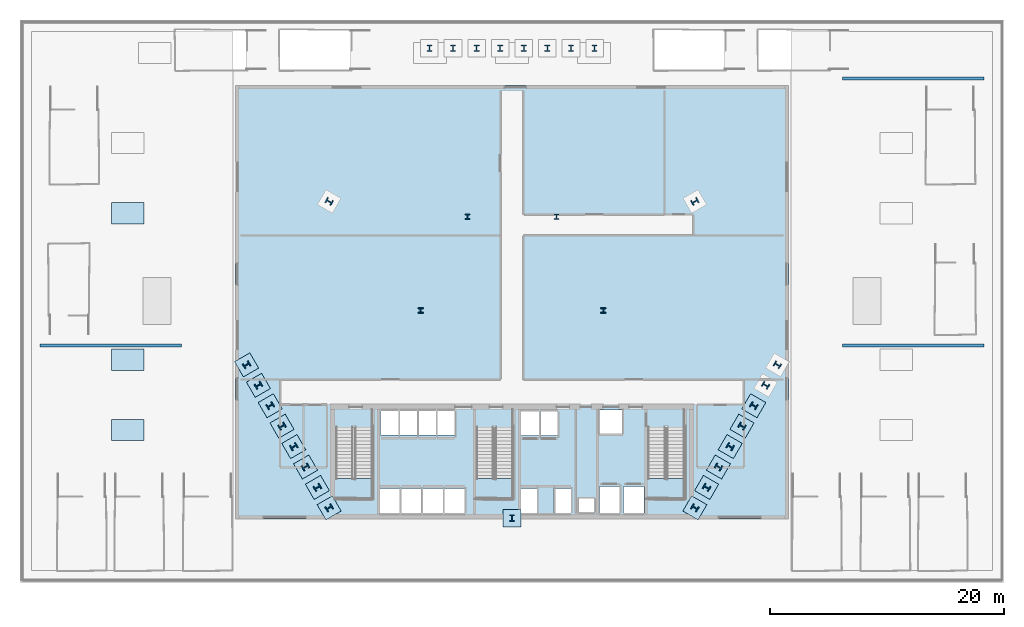
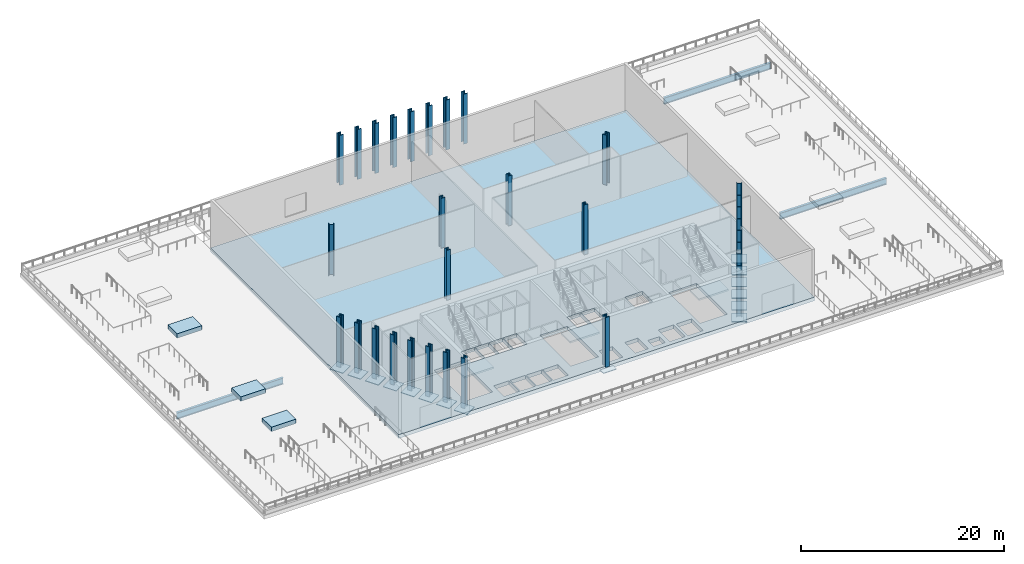
# One storey, part 1 of 13: 31 columns, 15 plates, 7 slabs, 3 beams, 3 elements without a shape of their own.
"""IFC4 building model written with IfcOpenShell, lengths in metres."""

from ifc_helpers import new_model, si_unit, direction, frame, origin, origin_2d, place, context, subcontext, project, spatial, polyline, rectangle, i_section, outline, extrude, material, layer, layer_set, material_profile, profile_set, type_object, element, aggregate, save


model = new_model("IFC4")

# Units and contexts
model_context = context("Model", 3, precision=1e-05, world=origin(), true_north=direction((0.0, 1.0)))
body_context = subcontext(model_context, "Body", "Model", "MODEL_VIEW")
ifc_project = project(units=[si_unit("LENGTHUNIT", "METRE"), si_unit("AREAUNIT", "SQUARE_METRE"), si_unit("VOLUMEUNIT", "CUBIC_METRE"), si_unit("PLANEANGLEUNIT", "RADIAN"), si_unit("MASSUNIT", "GRAM", prefix="KILO")], contexts=[model_context])

# Site, building, storey
site_placement = place(None, origin())
site = spatial("IfcSite", under=ifc_project, at=site_placement, CompositionType="ELEMENT")
building_placement = place(site_placement, origin())
building = spatial("IfcBuilding", under=site, at=building_placement, Name="Ndaravel Arena Tower", CompositionType="ELEMENT")
storey_placement = place(building_placement, frame((0.0, 0.0, 30.0)))
storey = spatial("IfcBuildingStorey", under=building, at=storey_placement, Name="L05", CompositionType="ELEMENT", Elevation=30.0)

# Columns
ifc_material_1 = material(Name="Steel S460", Category="steel")
ifc_material_profile_1 = material_profile(ifc_material_1, i_section(OverallWidth=0.41845703125, OverallDepth=0.45556640625, WebThickness=0.0419921875, FlangeThickness=0.0673828125, FilletRadius=0.01513671875, at=origin_2d()), Name="UC 356x406x551")
ifc_profile_set_1 = profile_set([ifc_material_profile_1], Name="Steel S460")
column_type_1 = type_object("IfcColumnType", Name="COL-INT-UC551", PredefinedType="COLUMN", material=ifc_profile_set_1)
for number, where, z_axis, x_axis, name in (
    (1, (34.199951171875, 23.199951171875, 0.0), (0.0, 0.0, 1.0), (1.0, 0.0, 0.0), "L05 Interior Spine Column IC-01"),
    (2, (49.800048828125, 23.199951171875, 0.0), (0.0, 0.0, 1.0), (1.0, 0.0, 0.0), "L05 Interior Spine Column IC-02"),
    (3, (38.199951171875, 31.199951171875, 0.0), (0.0, 0.0, 1.0), (1.0, 0.0, 0.0), "L05 Interior Spine Column IC-03"),
    (4, (45.800048828125, 31.199951171875, 0.0), (0.0, 0.0, 1.0), (1.0, 0.0, 0.0), "L05 Interior Spine Column IC-04"),
):
    element("IfcColumn", number, at=place(storey_placement, frame(where, z_axis=z_axis, x_axis=x_axis)), inside=storey, type_object=column_type_1, Name=name, PredefinedType="COLUMN", context=body_context, shape_type="SweptSolid", body=[
        extrude(i_section(OverallWidth=0.41845703125, OverallDepth=0.45556640625, WebThickness=0.0419921875, FlangeThickness=0.0673828125, FilletRadius=0.01513671875, at=origin_2d()), origin(), (0.0, 0.0, 1.0), 6.0),
    ])
ifc_material_2 = material(Name="Steel S460", Category="steel")
ifc_material_profile_2 = material_profile(ifc_material_2, i_section(OverallWidth=0.4541015625, OverallDepth=0.569091796875, WebThickness=0.077880859375, FlangeThickness=0.080078125, FilletRadius=0.014892578125, at=origin_2d()), Name="HD 400x1086")
ifc_profile_set_2 = profile_set([ifc_material_profile_2], Name="Steel S460")
column_type_2 = type_object("IfcColumnType", Name="COL-TUBE-HD1086", PredefinedType="COLUMN", material=ifc_profile_set_2)
for number, where, z_axis, x_axis, name in (
    (5, (42.0, 5.47998046875, 0.0), (0.0, 0.0, 1.0), (1.0, 0.0, 0.0), "L05 Tower Transfer Column TC-01"),
    (6, (57.60693359375, 6.351806640625, 0.0), (0.0, 0.0, 1.0), (0.5, 0.866025403784, 0.0), "L05 Tower Transfer Column TC-02"),
    (7, (58.613525390625, 8.095703125, 0.0), (0.0, 0.0, 1.0), (0.5, 0.866025403784, 0.0), "L05 Tower Transfer Column TC-03"),
    (8, (59.620361328125, 9.83935546875, 0.0), (0.0, 0.0, 1.0), (0.5, 0.866025403784, 0.0), "L05 Tower Transfer Column TC-04"),
    (9, (60.627197265625, 11.5830078125, 0.0), (0.0, 0.0, 1.0), (0.5, 0.866025403784, 0.0), "L05 Tower Transfer Column TC-05"),
    (10, (61.6337890625, 13.326904296875, 0.0), (0.0, 0.0, 1.0), (0.5, 0.866025403784, 0.0), "L05 Tower Transfer Column TC-06"),
    (11, (62.640625, 15.070556640625, 0.0), (0.0, 0.0, 1.0), (0.5, 0.866025403784, 0.0), "L05 Tower Transfer Column TC-07"),
    (12, (63.6474609375, 16.814453125, 0.0), (0.0, 0.0, 1.0), (0.5, 0.866025403784, 0.0), "L05 Tower Transfer Column TC-08"),
    (13, (64.654052734375, 18.55810546875, 0.0), (0.0, 0.0, 1.0), (0.5, 0.866025403784, 0.0), "L05 Tower Transfer Column TC-09"),
    (14, (57.605712890625, 32.510009765625, 0.0), (0.0, 0.0, 1.0), (-0.5, 0.866025403784, 0.0), "L05 Tower Transfer Column TC-10"),
    (15, (49.04736328125, 45.590087890625, 0.0), (0.0, 0.0, 1.0), (1.0, 0.0, 0.0), "L05 Tower Transfer Column TC-11"),
    (16, (47.03369140625, 45.590087890625, 0.0), (0.0, 0.0, 1.0), (1.0, 0.0, 0.0), "L05 Tower Transfer Column TC-12"),
    (17, (45.020263671875, 45.590087890625, 0.0), (0.0, 0.0, 1.0), (1.0, 0.0, 0.0), "L05 Tower Transfer Column TC-13"),
    (18, (43.0068359375, 45.590087890625, 0.0), (0.0, 0.0, 1.0), (1.0, 0.0, 0.0), "L05 Tower Transfer Column TC-14"),
    (19, (40.9931640625, 45.590087890625, 0.0), (0.0, 0.0, 1.0), (1.0, 0.0, 0.0), "L05 Tower Transfer Column TC-15"),
    (20, (38.979736328125, 45.590087890625, 0.0), (0.0, 0.0, 1.0), (1.0, 0.0, 0.0), "L05 Tower Transfer Column TC-16"),
    (21, (36.96630859375, 45.590087890625, 0.0), (0.0, 0.0, 1.0), (1.0, 0.0, 0.0), "L05 Tower Transfer Column TC-17"),
    (22, (34.95263671875, 45.590087890625, 0.0), (0.0, 0.0, 1.0), (1.0, 0.0, 0.0), "L05 Tower Transfer Column TC-18"),
    (23, (26.394287109375, 32.510009765625, 0.0), (0.0, 0.0, 1.0), (0.5, 0.866025403784, 0.0), "L05 Tower Transfer Column TC-19"),
    (24, (19.345947265625, 18.55810546875, 0.0), (0.0, 0.0, 1.0), (-0.5, 0.866025403784, 0.0), "L05 Tower Transfer Column TC-20"),
    (25, (20.3525390625, 16.814453125, 0.0), (0.0, 0.0, 1.0), (-0.5, 0.866025403784, 0.0), "L05 Tower Transfer Column TC-21"),
    (26, (21.359375, 15.070556640625, 0.0), (0.0, 0.0, 1.0), (-0.5, 0.866025403784, 0.0), "L05 Tower Transfer Column TC-22"),
    (27, (22.3662109375, 13.326904296875, 0.0), (0.0, 0.0, 1.0), (-0.5, 0.866025403784, 0.0), "L05 Tower Transfer Column TC-23"),
    (28, (23.372802734375, 11.5830078125, 0.0), (0.0, 0.0, 1.0), (-0.5, 0.866025403784, 0.0), "L05 Tower Transfer Column TC-24"),
    (29, (24.379638671875, 9.83935546875, 0.0), (0.0, 0.0, 1.0), (-0.5, 0.866025403784, 0.0), "L05 Tower Transfer Column TC-25"),
    (30, (25.386474609375, 8.095703125, 0.0), (0.0, 0.0, 1.0), (-0.5, 0.866025403784, 0.0), "L05 Tower Transfer Column TC-26"),
    (31, (26.39306640625, 6.351806640625, 0.0), (0.0, 0.0, 1.0), (-0.5, 0.866025403784, 0.0), "L05 Tower Transfer Column TC-27"),
):
    element("IfcColumn", number, at=place(storey_placement, frame(where, z_axis=z_axis, x_axis=x_axis)), inside=storey, type_object=column_type_2, Name=name, PredefinedType="COLUMN", context=body_context, shape_type="SweptSolid", body=[
        extrude(i_section(OverallWidth=0.4541015625, OverallDepth=0.569091796875, WebThickness=0.077880859375, FlangeThickness=0.080078125, FilletRadius=0.014892578125, at=origin_2d()), origin(), (0.0, 0.0, 1.0), 6.0),
    ])

# Beams
ifc_material_3 = material(Name="Steel S355", Category="steel")
ifc_material_profile_3 = material_profile(ifc_material_3, i_section(OverallWidth=0.26806640625, OverallDepth=0.769775390625, WebThickness=0.015625, FlangeThickness=0.025390625, FilletRadius=0.0166015625, at=origin_2d()), Name="UB 762x267x197")
ifc_profile_set_3 = profile_set([ifc_material_profile_3], Name="Steel S355")
beam_type = type_object("IfcBeamType", Name="BM-POD-UB762", PredefinedType="BEAM", material=ifc_profile_set_3)
for number, where, z_axis, x_axis, name in (
    (32, (1.699951171875, 20.199951171875, -0.8349609375), (1.0, 0.0, 0.0), (0.0, 1.0, 0.0), "L05 West Concourse Beam 01"),
    (33, (70.199951171875, 20.199951171875, -0.8349609375), (1.0, 0.0, 0.0), (0.0, 1.0, 0.0), "L05 East Concourse Beam 01"),
    (34, (70.199951171875, 43.0, -0.8349609375), (1.0, 0.0, 0.0), (0.0, 1.0, 0.0), "L05 East Concourse Beam 04"),
):
    element("IfcBeam", number, at=place(storey_placement, frame(where, z_axis=z_axis, x_axis=x_axis)), inside=storey, type_object=beam_type, Name=name, PredefinedType="BEAM", context=body_context, shape_type="SweptSolid", body=[
        extrude(i_section(OverallWidth=0.26806640625, OverallDepth=0.769775390625, WebThickness=0.015625, FlangeThickness=0.025390625, FilletRadius=0.0166015625, at=origin_2d()), origin(), (0.0, 0.0, 1.0), 12.10009765625),
    ])

# Plates
ifc_material_4 = material(Name="Steel S460", Category="steel")
ifc_layer_1 = layer(ifc_material_4, 0.074951171875)
ifc_layer_set_1 = layer_set([ifc_layer_1], Name="Steel S460")
plate_type = type_object("IfcPlateType", Name="PLT-BASE-BP1", PredefinedType="USERDEFINED", material=ifc_layer_set_1)
for number, where, z_axis, x_axis, name in (
    (35, (42.0, 5.47998046875, -0.28759765625), (0.0, 0.0, 1.0), (1.0, 0.0, 0.0), "Tower Column Base Plate BP-01"),
    (36, (57.60693359375, 6.351806640625, -0.28759765625), (0.0, 0.0, 1.0), (0.5, 0.866025403784, 0.0), "Tower Column Base Plate BP-02"),
    (37, (58.613525390625, 8.095703125, -0.28759765625), (0.0, 0.0, 1.0), (0.5, 0.866025403784, 0.0), "Tower Column Base Plate BP-03"),
    (38, (59.620361328125, 9.83935546875, -0.28759765625), (0.0, 0.0, 1.0), (0.5, 0.866025403784, 0.0), "Tower Column Base Plate BP-04"),
    (39, (60.627197265625, 11.5830078125, -0.28759765625), (0.0, 0.0, 1.0), (0.5, 0.866025403784, 0.0), "Tower Column Base Plate BP-05"),
    (40, (61.6337890625, 13.326904296875, -0.28759765625), (0.0, 0.0, 1.0), (0.5, 0.866025403784, 0.0), "Tower Column Base Plate BP-06"),
    (41, (62.640625, 15.070556640625, -0.28759765625), (0.0, 0.0, 1.0), (0.5, 0.866025403784, 0.0), "Tower Column Base Plate BP-07"),
    (42, (19.345947265625, 18.55810546875, -0.28759765625), (0.0, 0.0, 1.0), (-0.5, 0.866025403784, 0.0), "Tower Column Base Plate BP-20"),
    (43, (20.3525390625, 16.814453125, -0.28759765625), (0.0, 0.0, 1.0), (-0.5, 0.866025403784, 0.0), "Tower Column Base Plate BP-21"),
    (44, (21.359375, 15.070556640625, -0.28759765625), (0.0, 0.0, 1.0), (-0.5, 0.866025403784, 0.0), "Tower Column Base Plate BP-22"),
    (45, (22.3662109375, 13.326904296875, -0.28759765625), (0.0, 0.0, 1.0), (-0.5, 0.866025403784, 0.0), "Tower Column Base Plate BP-23"),
    (46, (23.372802734375, 11.5830078125, -0.28759765625), (0.0, 0.0, 1.0), (-0.5, 0.866025403784, 0.0), "Tower Column Base Plate BP-24"),
    (47, (24.379638671875, 9.83935546875, -0.28759765625), (0.0, 0.0, 1.0), (-0.5, 0.866025403784, 0.0), "Tower Column Base Plate BP-25"),
    (48, (25.386474609375, 8.095703125, -0.28759765625), (0.0, 0.0, 1.0), (-0.5, 0.866025403784, 0.0), "Tower Column Base Plate BP-26"),
    (49, (26.39306640625, 6.351806640625, -0.28759765625), (0.0, 0.0, 1.0), (-0.5, 0.866025403784, 0.0), "Tower Column Base Plate BP-27"),
):
    element("IfcPlate", number, at=place(storey_placement, frame(where, z_axis=z_axis, x_axis=x_axis)), inside=storey, type_object=plate_type, Name=name, ObjectType="BASE_PLATE", PredefinedType="USERDEFINED", context=body_context, shape_type="SweptSolid", body=[
        extrude(rectangle(XDim=1.5, YDim=1.5, at=origin_2d()), origin(), (0.0, 0.0, 1.0), 0.074951171875),
    ])

# Slabs
ifc_material_5 = material(Name="Concrete C40/50", Category="concrete")
ifc_layer_2 = layer(ifc_material_5, 0.449951171875)
ifc_layer_set_2 = layer_set([ifc_layer_2], Name="Concrete C40/50")
slab_type_1 = type_object("IfcSlabType", Name="SLAB-GARDEN-450", PredefinedType="FLOOR", material=ifc_layer_set_2)
slab_1_placement = place(storey_placement, frame((0.0, 0.0, -0.449951171875)))
element("IfcSlab", 50, at=slab_1_placement, inside=storey, type_object=slab_type_1, Name="L05 Transfer & Pavilion Slab", PredefinedType="FLOOR", context=body_context, shape_type="SweptSolid", body=[
    extrude(outline(polyline([(18.39990234375, 5.39990234375), (65.60009765625, 5.39990234375), (65.60009765625, 42.39990234375), (18.39990234375, 42.39990234375), (18.39990234375, 5.39990234375)]), holes=[polyline([(26.949951171875, 13.215087890625), (26.949951171875, 7.14990234375), (30.090087890625, 7.14990234375), (30.090087890625, 13.215087890625), (26.949951171875, 13.215087890625)]), polyline([(38.949951171875, 13.215087890625), (38.949951171875, 7.14990234375), (42.090087890625, 7.14990234375), (42.090087890625, 13.215087890625), (38.949951171875, 13.215087890625)]), polyline([(53.60009765625, 13.215087890625), (53.60009765625, 7.14990234375), (56.739990234375, 7.14990234375), (56.739990234375, 13.215087890625), (53.60009765625, 13.215087890625)]), polyline([(30.68505859375, 5.909912109375), (32.4150390625, 5.909912109375), (32.4150390625, 7.989990234375), (30.68505859375, 7.989990234375), (30.68505859375, 5.909912109375)]), polyline([(32.534912109375, 5.909912109375), (34.264892578125, 5.909912109375), (34.264892578125, 7.989990234375), (32.534912109375, 7.989990234375), (32.534912109375, 5.909912109375)]), polyline([(34.385009765625, 5.909912109375), (36.114990234375, 5.909912109375), (36.114990234375, 7.989990234375), (34.385009765625, 7.989990234375), (34.385009765625, 5.909912109375)]), polyline([(36.235107421875, 5.909912109375), (37.965087890625, 5.909912109375), (37.965087890625, 7.989990234375), (36.235107421875, 7.989990234375), (36.235107421875, 5.909912109375)]), polyline([(30.784912109375, 12.56005859375), (32.31494140625, 12.56005859375), (32.31494140625, 14.639892578125), (30.784912109375, 14.639892578125), (30.784912109375, 12.56005859375)]), polyline([(32.385009765625, 12.56005859375), (33.9150390625, 12.56005859375), (33.9150390625, 14.639892578125), (32.385009765625, 14.639892578125), (32.385009765625, 12.56005859375)]), polyline([(33.985107421875, 12.56005859375), (35.514892578125, 12.56005859375), (35.514892578125, 14.639892578125), (33.985107421875, 14.639892578125), (33.985107421875, 12.56005859375)]), polyline([(35.5849609375, 12.56005859375), (37.114990234375, 12.56005859375), (37.114990234375, 14.639892578125), (35.5849609375, 14.639892578125), (35.5849609375, 12.56005859375)]), polyline([(42.659912109375, 5.909912109375), (44.139892578125, 5.909912109375), (44.139892578125, 7.989990234375), (42.659912109375, 7.989990234375), (42.659912109375, 5.909912109375)]), polyline([(45.56005859375, 5.909912109375), (47.0400390625, 5.909912109375), (47.0400390625, 7.989990234375), (45.56005859375, 7.989990234375), (45.56005859375, 5.909912109375)]), polyline([(42.784912109375, 12.510009765625), (44.31494140625, 12.510009765625), (44.31494140625, 14.590087890625), (42.784912109375, 14.590087890625), (42.784912109375, 12.510009765625)]), polyline([(44.385009765625, 12.510009765625), (45.9150390625, 12.510009765625), (45.9150390625, 14.590087890625), (44.385009765625, 14.590087890625), (44.385009765625, 12.510009765625)]), polyline([(49.485107421875, 5.909912109375), (51.215087890625, 5.909912109375), (51.215087890625, 8.18994140625), (49.485107421875, 8.18994140625), (49.485107421875, 5.909912109375)]), polyline([(51.534912109375, 5.909912109375), (53.264892578125, 5.909912109375), (53.264892578125, 8.18994140625), (51.534912109375, 8.18994140625), (51.534912109375, 5.909912109375)]), polyline([(49.4599609375, 12.68505859375), (51.43994140625, 12.68505859375), (51.43994140625, 14.715087890625), (49.4599609375, 14.715087890625), (49.4599609375, 12.68505859375)]), polyline([(47.699951171875, 6.0), (49.0, 6.0), (49.0, 7.139892578125), (47.699951171875, 7.139892578125), (47.699951171875, 6.0)])]), origin(), (0.0, 0.0, 1.0), 0.449951171875),
])
ifc_material_6 = material(Name="Concrete C40/50", Category="concrete")
ifc_layer_3 = layer(ifc_material_6, 0.260009765625)
ifc_layer_set_3 = layer_set([ifc_layer_3], Name="Concrete C40/50")
slab_type_2 = type_object("IfcSlabType", Name="SLAB-PLANTER-260", PredefinedType="USERDEFINED", material=ifc_layer_set_3)
slab_2_placement = place(storey_placement, origin())
element("IfcSlab", 51, at=slab_2_placement, inside=storey, type_object=slab_type_2, Name="L05 Raised Garden Structural Planter 01", ObjectType="PLANTER", PredefinedType="USERDEFINED", context=body_context, shape_type="SweptSolid", body=[
    extrude(outline(polyline([(7.800048828125, 12.10009765625), (10.60009765625, 12.10009765625), (10.60009765625, 13.89990234375), (7.800048828125, 13.89990234375), (7.800048828125, 12.10009765625)])), origin(), (0.0, 0.0, 1.0), 0.550048828125),
])
slab_3_placement = place(storey_placement, origin())
element("IfcSlab", 52, at=slab_3_placement, inside=storey, type_object=slab_type_2, Name="L05 Raised Garden Structural Planter 02", ObjectType="PLANTER", PredefinedType="USERDEFINED", context=body_context, shape_type="SweptSolid", body=[
    extrude(outline(polyline([(7.800048828125, 18.10009765625), (10.60009765625, 18.10009765625), (10.60009765625, 19.89990234375), (7.800048828125, 19.89990234375), (7.800048828125, 18.10009765625)])), origin(), (0.0, 0.0, 1.0), 0.550048828125),
])
slab_4_placement = place(storey_placement, origin())
element("IfcSlab", 53, at=slab_4_placement, inside=storey, type_object=slab_type_2, Name="L05 Raised Garden Structural Planter 03", ObjectType="PLANTER", PredefinedType="USERDEFINED", context=body_context, shape_type="SweptSolid", body=[
    extrude(outline(polyline([(7.800048828125, 30.60009765625), (10.60009765625, 30.60009765625), (10.60009765625, 32.39990234375), (7.800048828125, 32.39990234375), (7.800048828125, 30.60009765625)])), origin(), (0.0, 0.0, 1.0), 0.550048828125),
])

# Stair, slab
ifc_material_7 = material(Name="Concrete C40/50", Category="concrete")
stair_type = type_object("IfcStairType", Name="STAIR-CORE-HT", PredefinedType="HALF_TURN_STAIR", material=ifc_material_7)
stair_1_placement = place(storey_placement, origin())
stair_1 = element("IfcStair", 54, at=stair_1_placement, inside=storey, type_object=stair_type, Name="L05 ST-1", PredefinedType="HALF_TURN_STAIR")
ifc_material_8 = material(Name="Concrete C40/50", Category="concrete")
ifc_layer_4 = layer(ifc_material_8, 0.199951171875)
ifc_layer_set_4 = layer_set([ifc_layer_4], Name="Concrete C40/50")
slab_type_3 = type_object("IfcSlabType", Name="SLAB-STAIR-LANDING", PredefinedType="LANDING", material=ifc_layer_set_4)
slab_5_placement = place(storey_placement, frame((0.0, 0.0, 2.800048828125)))
slab_5 = element("IfcSlab", 55, at=slab_5_placement, type_object=slab_type_3, Name="ST-1 landing 1", PredefinedType="LANDING", context=body_context, shape_type="SweptSolid", body=[
    extrude(outline(polyline([(26.81005859375, 8.860107421875), (26.81005859375, 7.070068359375), (30.169921875, 7.070068359375), (30.169921875, 8.860107421875), (26.81005859375, 8.860107421875)])), origin(), (0.0, 0.0, 1.0), 0.199951171875),
])
aggregate(stair_1, [slab_5])

stair_2_placement = place(storey_placement, origin())
stair_2 = element("IfcStair", 56, at=stair_2_placement, inside=storey, type_object=stair_type, Name="L05 ST-2", PredefinedType="HALF_TURN_STAIR")
slab_6_placement = place(storey_placement, frame((0.0, 0.0, 2.800048828125)))
slab_6 = element("IfcSlab", 57, at=slab_6_placement, type_object=slab_type_3, Name="ST-2 landing 1", PredefinedType="LANDING", context=body_context, shape_type="SweptSolid", body=[
    extrude(outline(polyline([(38.81005859375, 8.860107421875), (38.81005859375, 7.070068359375), (42.169921875, 7.070068359375), (42.169921875, 8.860107421875), (38.81005859375, 8.860107421875)])), origin(), (0.0, 0.0, 1.0), 0.199951171875),
])
aggregate(stair_2, [slab_6])

stair_3_placement = place(storey_placement, origin())
stair_3 = element("IfcStair", 58, at=stair_3_placement, inside=storey, type_object=stair_type, Name="L05 ST-3", PredefinedType="HALF_TURN_STAIR")
slab_7_placement = place(storey_placement, frame((0.0, 0.0, 2.800048828125)))
slab_7 = element("IfcSlab", 59, at=slab_7_placement, type_object=slab_type_3, Name="ST-3 landing 1", PredefinedType="LANDING", context=body_context, shape_type="SweptSolid", body=[
    extrude(outline(polyline([(53.4599609375, 8.860107421875), (53.4599609375, 7.070068359375), (56.820068359375, 7.070068359375), (56.820068359375, 8.860107421875), (53.4599609375, 8.860107421875)])), origin(), (0.0, 0.0, 1.0), 0.199951171875),
])
aggregate(stair_3, [slab_7])

save(model, "model.ifc")
